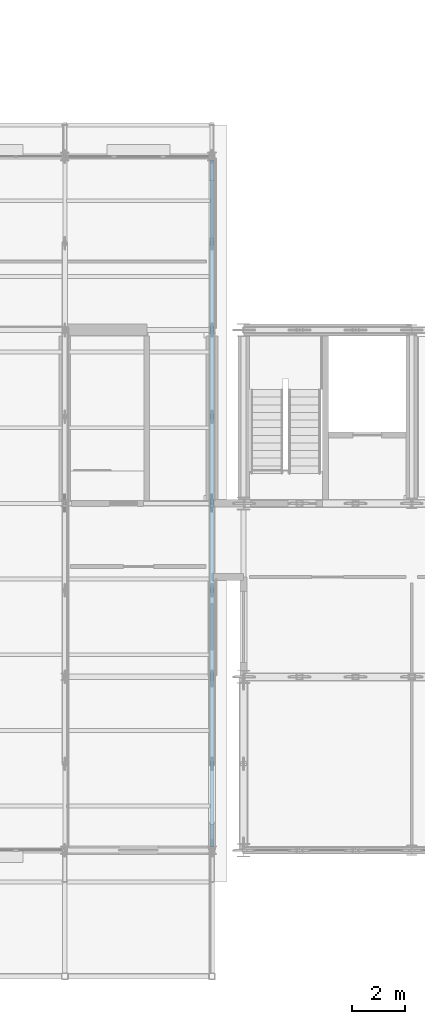
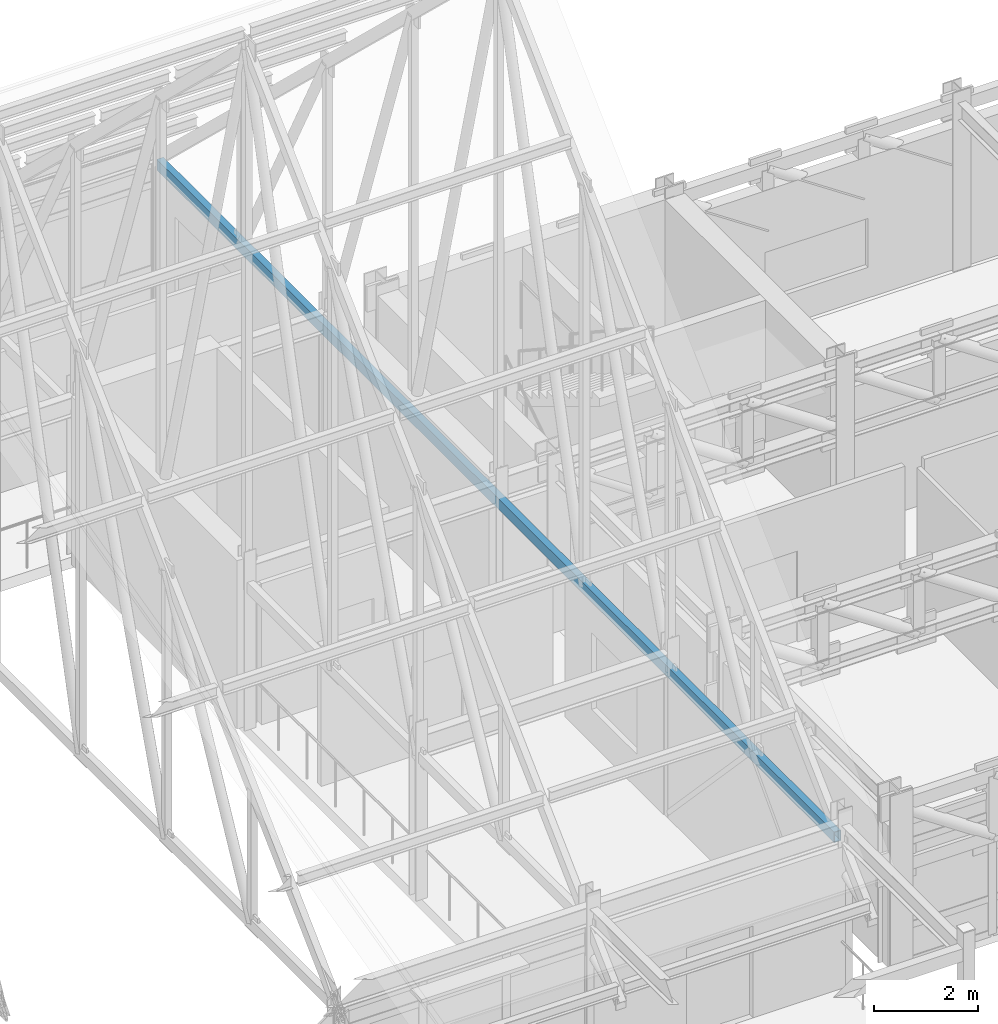
# One storey, part 55 of 144: 1 member.
"""IFC4 building model written with IfcOpenShell, lengths in metres."""

from ifc_helpers import new_model, si_unit, direction, frame, origin, origin_2d, place, context, subcontext, project, spatial, hollow_rectangle, extrude, material, material_profile, profile_set, type_object, element, save


model = new_model("IFC4")

# Units and contexts
model_context = context("Model", 3, precision=1e-05, world=origin(), true_north=direction((0.0, 1.0)))
body_context = subcontext(model_context, "Body", "Model", "MODEL_VIEW")
ifc_project = project(units=[si_unit("LENGTHUNIT", "METRE"), si_unit("AREAUNIT", "SQUARE_METRE"), si_unit("VOLUMEUNIT", "CUBIC_METRE"), si_unit("PLANEANGLEUNIT", "RADIAN"), si_unit("MASSUNIT", "GRAM", prefix="KILO")], contexts=[model_context])

# Site, building, storey
site_placement = place(None, origin())
site = spatial("IfcSite", under=ifc_project, at=site_placement, CompositionType="ELEMENT")
building_placement = place(site_placement, origin())
building = spatial("IfcBuilding", under=site, at=building_placement, Name="Trelmorton Wharf Fire Station", CompositionType="ELEMENT")
storey_placement = place(building_placement, frame((0.0, 0.0, 5.39990234375)))
storey = spatial("IfcBuildingStorey", under=building, at=storey_placement, Name="L01", CompositionType="ELEMENT", Elevation=5.39990234375)

# Member
ifc_material = material(Name="Steel C350L0 (350 MPa)", Category="steel")
ifc_material_profile = material_profile(ifc_material, hollow_rectangle(XDim=0.14990234375, YDim=0.25, WallThickness=0.009033203125, at=origin_2d()), Name="250x150x9.0RHS")
ifc_profile_set = profile_set([ifc_material_profile], Name="Steel C350L0 (350 MPa)")
member_type = type_object("IfcMemberType", Name="TR_CHORD_250RHS", PredefinedType="CHORD", material=ifc_profile_set)
member_placement = place(storey_placement, frame((56.800048828125, 7.95361328125, 3.351806640625), z_axis=(0.0, 1.0, 0.0), x_axis=(-1.0, 0.0, 0.0)))
element("IfcMember", 1, at=member_placement, inside=storey, type_object=member_type, Name="V1-TR11-BC", PredefinedType="CHORD", context=body_context, shape_type="SweptSolid", body=[
    extrude(hollow_rectangle(XDim=0.14990234375, YDim=0.25, WallThickness=0.009033203125, at=origin_2d()), origin(), (0.0, 0.0, 1.0), 26.0927734375),
])

save(model, "model.ifc")
